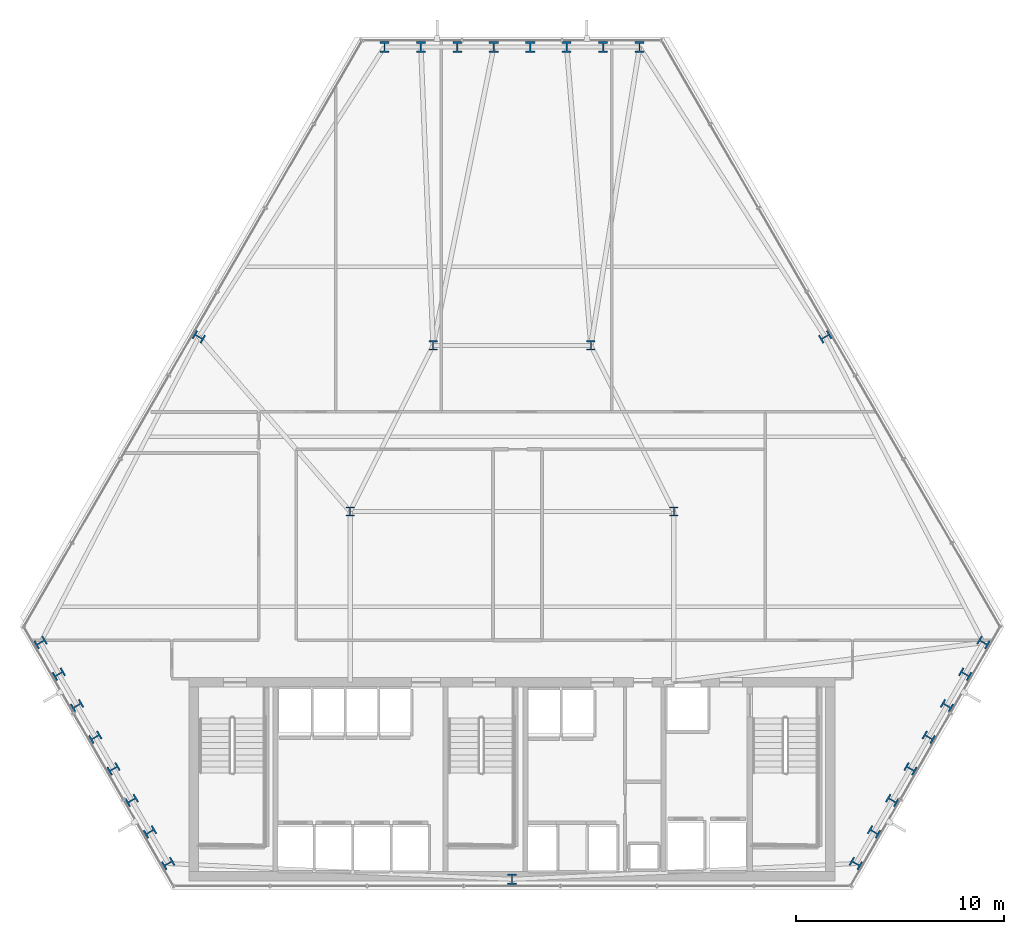
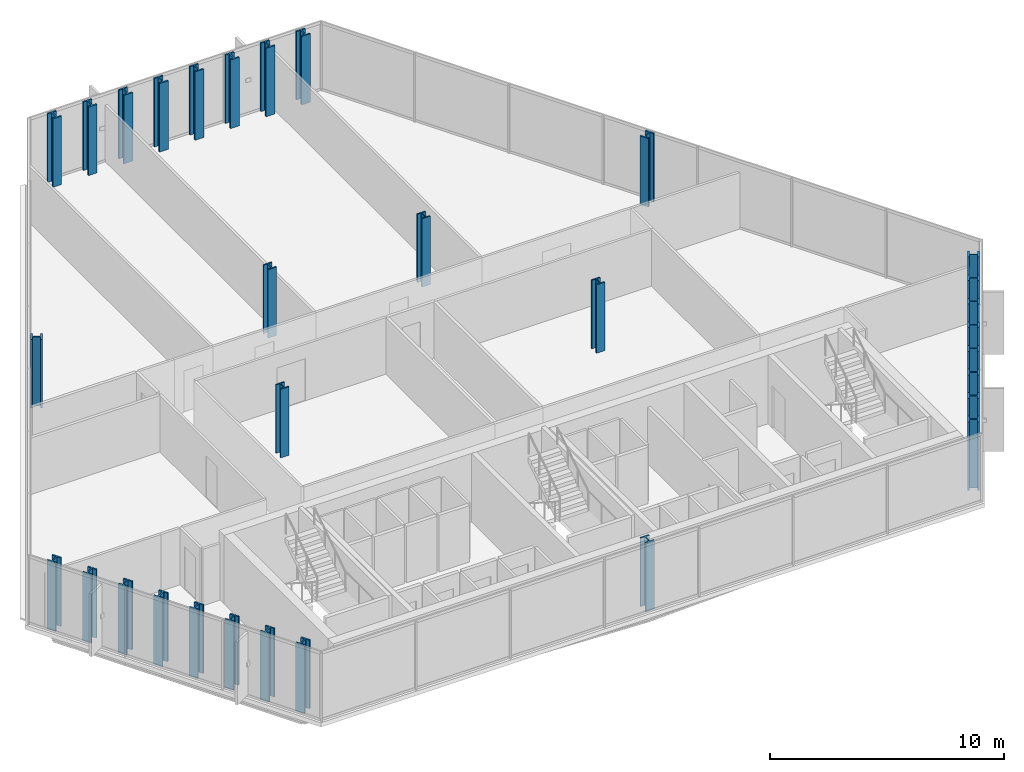
# One storey, part 1 of 33: 31 columns.
"""IFC4 building model written with IfcOpenShell, lengths in metres."""

import ifcopenshell
import ifcopenshell.guid

model = None  # the IFC model being written
_history = None  # IfcOwnerHistory: only IFC2X3 demands one
_inside = {}  # id of a spatial element -> (the spatial element, [elements in it])
_under = {}  # id of a project, library or spatial element -> (it, [spatial elements below it])
_declared = {}  # id of a project -> (the project, [libraries it declares])
_typed = {}  # id of a type object -> (the type object, [elements of that type])
_made_of = {}  # id of a material, layer set ... -> (it, [elements and type objects made of it])


def new_model(schema):
    """Start an empty IFC model of exactly this schema.

    Asked for "IFC4X3", IfcOpenShell would pick the latest addendum, in which some entities
    have other attributes; the version numbers below select the first issue.
    IFC2X3 requires an IfcOwnerHistory on every rooted entity: one is made here for all.
    """
    global model, _history
    if schema == "IFC4X3":
        model = ifcopenshell.file(schema_version=(4, 3, 0, 0))
    else:
        model = ifcopenshell.file(schema=schema)
    _inside.clear()
    _under.clear()
    _declared.clear()
    _typed.clear()
    _made_of.clear()
    _history = None
    if model.schema == "IFC2X3":
        org = make("IfcOrganization", Name="unknown")
        user = make(
            "IfcPersonAndOrganization",
            ThePerson=make("IfcPerson", FamilyName="unknown"),
            TheOrganization=org,
        )
        app = make(
            "IfcApplication",
            ApplicationDeveloper=org,
            Version="unknown",
            ApplicationFullName="unknown",
            ApplicationIdentifier="unknown",
        )
        _history = make(
            "IfcOwnerHistory",
            OwningUser=user,
            OwningApplication=app,
            ChangeAction="ADDED",
            CreationDate=0,
        )
    return model


def make(cls, **values):
    """One entity of the class cls with the attributes given. An attribute that is None is left unset."""
    return model.create_entity(
        cls, **{name: value for name, value in values.items() if value is not None}
    )


def rooted(cls, **values):
    """An entity with a GlobalId (a new one), such as an element, a storey or a relation."""
    return make(cls, GlobalId=ifcopenshell.guid.new(), OwnerHistory=_history, **values)


def si_unit(unit_type, name, prefix=None):
    """IfcSIUnit, for example si_unit("LENGTHUNIT", "METRE", prefix="MILLI")."""
    return make("IfcSIUnit", UnitType=unit_type, Prefix=prefix, Name=name)


def assignment(units):
    """IfcUnitAssignment: the units of a project."""
    return None if units is None else make("IfcUnitAssignment", Units=units)


def point(xyz):
    """IfcCartesianPoint."""
    return None if xyz is None else make("IfcCartesianPoint", Coordinates=xyz)


def direction(xyz):
    """IfcDirection."""
    return None if xyz is None else make("IfcDirection", DirectionRatios=xyz)


def frame(location, z_axis=None, x_axis=None):
    """IfcAxis2Placement3D, a coordinate frame: its origin and axes. An axis left out is left unset."""
    return make(
        "IfcAxis2Placement3D",
        Location=point(location),
        Axis=direction(z_axis),
        RefDirection=direction(x_axis),
    )


def frame_2d(location, x_axis=None):
    """IfcAxis2Placement2D, a coordinate frame in the plane: its origin and x axis."""
    return make(
        "IfcAxis2Placement2D", Location=point(location), RefDirection=direction(x_axis)
    )


def origin():
    """The frame at (0, 0, 0) with its axes left unset."""
    return frame((0.0, 0.0, 0.0))


def origin_2d():
    """The frame at (0, 0) in the plane with its x axis left unset."""
    return frame_2d((0.0, 0.0))


def place(relative_to, where):
    """IfcLocalPlacement: puts the frame where relative to a parent placement (None: the world)."""
    return make(
        "IfcLocalPlacement", PlacementRelTo=relative_to, RelativePlacement=where
    )


def context(
    kind, dimensions, precision=None, world=None, true_north=None, identifier=None
):
    """IfcGeometricRepresentationContext, for example the 3D "Model" context."""
    return make(
        "IfcGeometricRepresentationContext",
        ContextIdentifier=identifier,
        ContextType=kind,
        CoordinateSpaceDimension=dimensions,
        Precision=precision,
        WorldCoordinateSystem=world,
        TrueNorth=true_north,
    )


def subcontext(parent, identifier, kind, view, scale=None):
    """IfcGeometricRepresentationSubContext, for example "Body" below "Model"."""
    return make(
        "IfcGeometricRepresentationSubContext",
        ContextIdentifier=identifier,
        ContextType=kind,
        ParentContext=parent,
        TargetScale=scale,
        TargetView=view,
    )


def project(units=None, contexts=None):
    """IfcProject with its units and contexts."""
    return rooted(
        "IfcProject",
        Name="project",
        RepresentationContexts=contexts,
        UnitsInContext=assignment(units),
    )


def spatial(cls, under=None, at=None, **own):
    """A site, building, storey or space (cls), placed at a placement, below another one or the project."""
    s = rooted(cls, ObjectPlacement=at, **own)
    if under is not None:
        _under.setdefault(under.id(), (under, []))[1].append(s)
    return s


def profile(cls, at=None, kind="AREA", **sizes):
    """A parametric profile (cls). Its sizes go by their IFC names, for example OverallWidth=200.0."""
    return make(cls, ProfileType=kind, Position=at, **sizes)


def i_section(**sizes):
    """IfcIShapeProfileDef."""
    return profile("IfcIShapeProfileDef", **sizes)


def extrude(swept, where, along, depth):
    """IfcExtrudedAreaSolid: the profile swept, set in the frame where, extruded along a direction by depth."""
    return make(
        "IfcExtrudedAreaSolid",
        SweptArea=swept,
        Position=where,
        ExtrudedDirection=direction(along),
        Depth=depth,
    )


def shape(context_of_items, identifier, shape_type, items):
    """IfcShapeRepresentation: the items that make up one representation, for example the "Body"."""
    return make(
        "IfcShapeRepresentation",
        ContextOfItems=context_of_items,
        RepresentationIdentifier=identifier,
        RepresentationType=shape_type,
        Items=items,
    )


def material(Name=None, Category=None):
    """IfcMaterial."""
    return make("IfcMaterial", Name=Name, Category=Category)


def material_profile(
    of_material, cross_section, Name=None, Category=None, Priority=None
):
    """IfcMaterialProfile: a cross section and its material."""
    return make(
        "IfcMaterialProfile",
        Name=Name,
        Material=of_material,
        Profile=cross_section,
        Priority=Priority,
        Category=Category,
    )


def profile_set(profiles, Name=None, composite=None):
    """IfcMaterialProfileSet."""
    return make(
        "IfcMaterialProfileSet",
        Name=Name,
        MaterialProfiles=profiles,
        CompositeProfile=composite,
    )


def made_of(thing, what):
    """Note that an element or type object is made of a material, layer set ...; save() writes the relation."""
    if what is not None:
        _made_of.setdefault(what.id(), (what, []))[1].append(thing)
    return thing


def type_object(cls, material=None, **own):
    """A type object (cls), such as IfcWallType, which elements share."""
    return made_of(rooted(cls, **own), material)


def element(
    cls,
    number,
    at=None,
    inside=None,
    cuts=None,
    type_object=None,
    material=None,
    context=None,
    identifier="Body",
    shape_type=None,
    held_by="IfcProductDefinitionShape",
    body=None,
    shapes=None,
    **own,
):
    """One element of the class cls, such as IfcWall. Its Tag is "e" and its number.

    at: its placement. inside: the storey or other place that contains it. cuts: it is an
    opening in that element (IfcRelVoidsElement). A single representation is given by context,
    identifier, shape_type and body (its items); several are given by shapes. held_by: the class
    of the entity that holds the representations. save() writes the other relations.
    """
    e = rooted(cls, Tag="e%d" % number, ObjectPlacement=at, **own)
    if body is not None:
        shapes = [shape(context, identifier, shape_type, body)]
    if shapes is not None:
        e.Representation = make(held_by, Representations=shapes)
    if inside is not None:
        _inside.setdefault(inside.id(), (inside, []))[1].append(e)
    if cuts is not None:
        rooted(
            "IfcRelVoidsElement", RelatingBuildingElement=cuts, RelatedOpeningElement=e
        )
    if type_object is not None:
        _typed.setdefault(type_object.id(), (type_object, []))[1].append(e)
    return made_of(e, material)


def aggregate(whole, parts):
    """IfcRelAggregates: a whole, such as a stair, and the parts it consists of."""
    return rooted("IfcRelAggregates", RelatingObject=whole, RelatedObjects=parts)


def save(model, path):
    """Write the relations noted so far, then the file.

    IfcRelAggregates (storeys below a building ...), IfcRelContainedInSpatialStructure (elements
    in a storey), IfcRelDefinesByType, IfcRelAssociatesMaterial and IfcRelDeclares: one each for
    every whole, place, type object, material and project.
    """
    for whole, parts in _under.values():
        aggregate(whole, parts)
    for where, things in _inside.values():
        rooted(
            "IfcRelContainedInSpatialStructure",
            RelatedElements=things,
            RelatingStructure=where,
        )
    for kind, things in _typed.values():
        rooted("IfcRelDefinesByType", RelatedObjects=things, RelatingType=kind)
    for what, things in _made_of.values():
        rooted("IfcRelAssociatesMaterial", RelatedObjects=things, RelatingMaterial=what)
    for by, libraries in _declared.values():
        rooted("IfcRelDeclares", RelatingContext=by, RelatedDefinitions=libraries)
    model.write(path)


model = new_model("IFC4")

# Units and contexts
model_context = context("Model", 3, precision=1e-05, world=origin(), true_north=direction((0.0, 1.0)))
body_context = subcontext(model_context, "Body", "Model", "MODEL_VIEW")
ifc_project = project(units=[si_unit("LENGTHUNIT", "METRE"), si_unit("AREAUNIT", "SQUARE_METRE"), si_unit("VOLUMEUNIT", "CUBIC_METRE"), si_unit("PLANEANGLEUNIT", "RADIAN"), si_unit("MASSUNIT", "GRAM", prefix="KILO")], contexts=[model_context])

# Site, building, storey
site_placement = place(None, origin())
site = spatial("IfcSite", under=ifc_project, at=site_placement, CompositionType="ELEMENT")
building_placement = place(site_placement, origin())
building = spatial("IfcBuilding", under=site, at=building_placement, Name="Ndaravel Arena Tower", CompositionType="ELEMENT")
storey_placement = place(building_placement, frame((0.0, 0.0, 81.60009765625)))
storey = spatial("IfcBuildingStorey", under=building, at=storey_placement, Name="L18", CompositionType="ELEMENT", Elevation=81.60009765625)

# Columns
ifc_material_1 = material(Name="Steel S460", Category="steel")
ifc_material_profile_1 = material_profile(ifc_material_1, i_section(OverallWidth=0.41845703125, OverallDepth=0.45556640625, WebThickness=0.0419921875, FlangeThickness=0.0673828125, FilletRadius=0.01513671875, at=origin_2d()), Name="UC 356x406x551")
ifc_profile_set_1 = profile_set([ifc_material_profile_1], Name="Steel S460")
column_type_1 = type_object("IfcColumnType", Name="COL-INT-UC551", PredefinedType="COLUMN", material=ifc_profile_set_1)
for number, where, z_axis, x_axis, name in (
    (1, (34.199951171875, 23.199951171875, 0.0), (0.0, 0.0, 1.0), (1.0, 0.0, 0.0), "L18 Interior Spine Column IC-01"),
    (2, (49.800048828125, 23.199951171875, 0.0), (0.0, 0.0, 1.0), (1.0, 0.0, 0.0), "L18 Interior Spine Column IC-02"),
    (3, (38.199951171875, 31.199951171875, 0.0), (0.0, 0.0, 1.0), (1.0, 0.0, 0.0), "L18 Interior Spine Column IC-03"),
    (4, (45.800048828125, 31.199951171875, 0.0), (0.0, 0.0, 1.0), (1.0, 0.0, 0.0), "L18 Interior Spine Column IC-04"),
):
    element("IfcColumn", number, at=place(storey_placement, frame(where, z_axis=z_axis, x_axis=x_axis)), inside=storey, type_object=column_type_1, Name=name, PredefinedType="COLUMN", context=body_context, shape_type="SweptSolid", body=[
        extrude(i_section(OverallWidth=0.41845703125, OverallDepth=0.45556640625, WebThickness=0.0419921875, FlangeThickness=0.0673828125, FilletRadius=0.01513671875, at=origin_2d()), origin(), (0.0, 0.0, 1.0), 3.579833984375),
    ])
ifc_material_2 = material(Name="Steel S460", Category="steel")
ifc_material_profile_2 = material_profile(ifc_material_2, i_section(OverallWidth=0.43701171875, OverallDepth=0.513916015625, WebThickness=0.060546875, FlangeThickness=0.076904296875, FilletRadius=0.014892578125, at=origin_2d()), Name="HD 400x818")
ifc_profile_set_2 = profile_set([ifc_material_profile_2], Name="Steel S460")
column_type_2 = type_object("IfcColumnType", Name="COL-TUBE-HD818", PredefinedType="COLUMN", material=ifc_profile_set_2)
for number, where, z_axis, x_axis, name in (
    (5, (42.0, 5.47998046875, 0.0), (0.0, 0.0, 1.0), (1.0, 0.0, 0.0), "L18 Framed Tube Column TC-01"),
    (6, (58.563232421875, 6.240478515625, 0.0), (0.0, 0.0, 1.0), (0.5, 0.866025403784, 0.0), "L18 Framed Tube Column TC-02"),
    (7, (59.44140625, 7.761474609375, 0.0), (0.0, 0.0, 1.0), (0.5, 0.866025403784, 0.0), "L18 Framed Tube Column TC-03"),
    (8, (60.319580078125, 9.282470703125, 0.0), (0.0, 0.0, 1.0), (0.5, 0.866025403784, 0.0), "L18 Framed Tube Column TC-04"),
    (9, (61.19775390625, 10.803466796875, 0.0), (0.0, 0.0, 1.0), (0.5, 0.866025403784, 0.0), "L18 Framed Tube Column TC-05"),
    (10, (62.07568359375, 12.324462890625, 0.0), (0.0, 0.0, 1.0), (0.5, 0.866025403784, 0.0), "L18 Framed Tube Column TC-06"),
    (11, (62.9541015625, 13.845458984375, 0.0), (0.0, 0.0, 1.0), (0.5, 0.866025403784, 0.0), "L18 Framed Tube Column TC-07"),
    (12, (63.83203125, 15.366455078125, 0.0), (0.0, 0.0, 1.0), (0.5, 0.866025403784, 0.0), "L18 Framed Tube Column TC-08"),
    (13, (64.710205078125, 16.887451171875, 0.0), (0.0, 0.0, 1.0), (0.5, 0.866025403784, 0.0), "L18 Framed Tube Column TC-09"),
    (14, (57.087158203125, 31.61181640625, 0.0), (0.0, 0.0, 1.0), (-0.5, 0.866025403784, 0.0), "L18 Framed Tube Column TC-10"),
    (15, (48.147216796875, 45.575927734375, 0.0), (0.0, 0.0, 1.0), (1.0, 0.0, 0.0), "L18 Framed Tube Column TC-11"),
    (16, (46.390625, 45.575927734375, 0.0), (0.0, 0.0, 1.0), (1.0, 0.0, 0.0), "L18 Framed Tube Column TC-12"),
    (17, (44.634521484375, 45.575927734375, 0.0), (0.0, 0.0, 1.0), (1.0, 0.0, 0.0), "L18 Framed Tube Column TC-13"),
    (18, (42.878173828125, 45.575927734375, 0.0), (0.0, 0.0, 1.0), (1.0, 0.0, 0.0), "L18 Framed Tube Column TC-14"),
    (19, (41.121826171875, 45.575927734375, 0.0), (0.0, 0.0, 1.0), (1.0, 0.0, 0.0), "L18 Framed Tube Column TC-15"),
    (20, (39.365478515625, 45.575927734375, 0.0), (0.0, 0.0, 1.0), (1.0, 0.0, 0.0), "L18 Framed Tube Column TC-16"),
    (21, (37.609375, 45.575927734375, 0.0), (0.0, 0.0, 1.0), (1.0, 0.0, 0.0), "L18 Framed Tube Column TC-17"),
    (22, (35.852783203125, 45.575927734375, 0.0), (0.0, 0.0, 1.0), (1.0, 0.0, 0.0), "L18 Framed Tube Column TC-18"),
    (23, (26.912841796875, 31.61181640625, 0.0), (0.0, 0.0, 1.0), (0.5, 0.866025403784, 0.0), "L18 Framed Tube Column TC-19"),
    (24, (19.289794921875, 16.887451171875, 0.0), (0.0, 0.0, 1.0), (-0.5, 0.866025403784, 0.0), "L18 Framed Tube Column TC-20"),
    (25, (20.16796875, 15.366455078125, 0.0), (0.0, 0.0, 1.0), (-0.5, 0.866025403784, 0.0), "L18 Framed Tube Column TC-21"),
    (26, (21.0458984375, 13.845458984375, 0.0), (0.0, 0.0, 1.0), (-0.5, 0.866025403784, 0.0), "L18 Framed Tube Column TC-22"),
    (27, (21.92431640625, 12.324462890625, 0.0), (0.0, 0.0, 1.0), (-0.5, 0.866025403784, 0.0), "L18 Framed Tube Column TC-23"),
    (28, (22.80224609375, 10.803466796875, 0.0), (0.0, 0.0, 1.0), (-0.5, 0.866025403784, 0.0), "L18 Framed Tube Column TC-24"),
    (29, (23.680419921875, 9.282470703125, 0.0), (0.0, 0.0, 1.0), (-0.5, 0.866025403784, 0.0), "L18 Framed Tube Column TC-25"),
    (30, (24.55859375, 7.761474609375, 0.0), (0.0, 0.0, 1.0), (-0.5, 0.866025403784, 0.0), "L18 Framed Tube Column TC-26"),
    (31, (25.436767578125, 6.240478515625, 0.0), (0.0, 0.0, 1.0), (-0.5, 0.866025403784, 0.0), "L18 Framed Tube Column TC-27"),
):
    element("IfcColumn", number, at=place(storey_placement, frame(where, z_axis=z_axis, x_axis=x_axis)), inside=storey, type_object=column_type_2, Name=name, PredefinedType="COLUMN", context=body_context, shape_type="SweptSolid", body=[
        extrude(i_section(OverallWidth=0.43701171875, OverallDepth=0.513916015625, WebThickness=0.060546875, FlangeThickness=0.076904296875, FilletRadius=0.014892578125, at=origin_2d()), origin(), (0.0, 0.0, 1.0), 3.579833984375),
    ])

save(model, "model.ifc")
